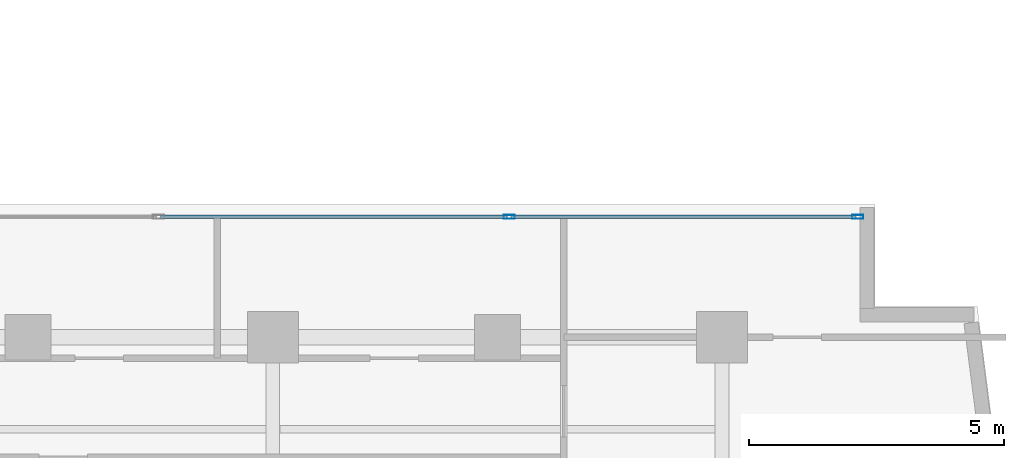
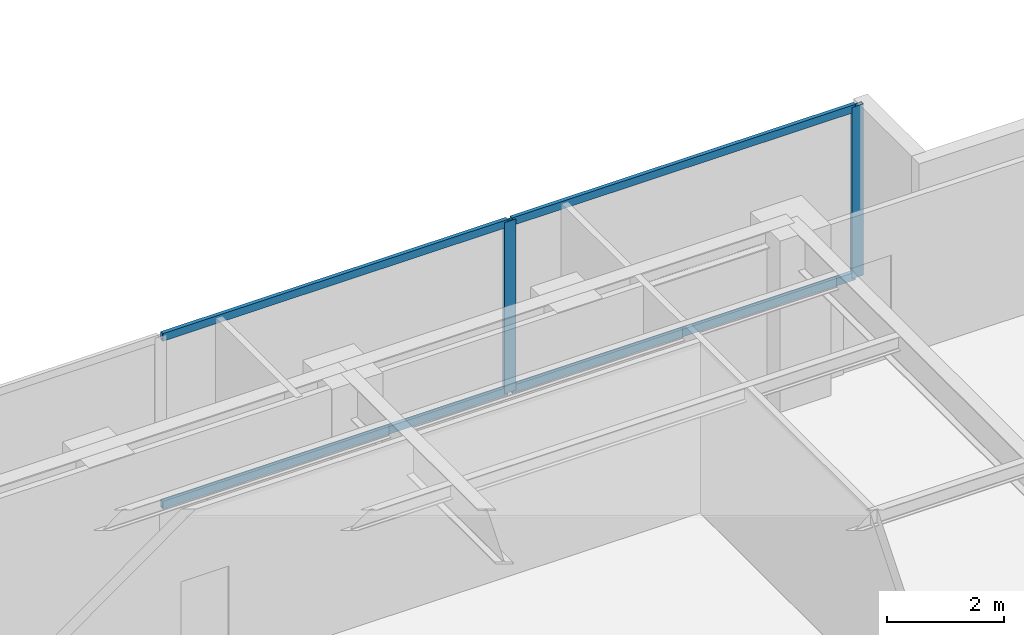
# One storey, part 12 of 23: 6 members, 1 element without a shape of its own.
"""IFC4 building model written with IfcOpenShell, lengths in metres."""

import ifcopenshell
import ifcopenshell.guid

model = None  # the IFC model being written
_history = None  # IfcOwnerHistory: only IFC2X3 demands one
_inside = {}  # id of a spatial element -> (the spatial element, [elements in it])
_under = {}  # id of a project, library or spatial element -> (it, [spatial elements below it])
_declared = {}  # id of a project -> (the project, [libraries it declares])
_typed = {}  # id of a type object -> (the type object, [elements of that type])
_made_of = {}  # id of a material, layer set ... -> (it, [elements and type objects made of it])


def new_model(schema):
    """Start an empty IFC model of exactly this schema.

    Asked for "IFC4X3", IfcOpenShell would pick the latest addendum, in which some entities
    have other attributes; the version numbers below select the first issue.
    IFC2X3 requires an IfcOwnerHistory on every rooted entity: one is made here for all.
    """
    global model, _history
    if schema == "IFC4X3":
        model = ifcopenshell.file(schema_version=(4, 3, 0, 0))
    else:
        model = ifcopenshell.file(schema=schema)
    _inside.clear()
    _under.clear()
    _declared.clear()
    _typed.clear()
    _made_of.clear()
    _history = None
    if model.schema == "IFC2X3":
        org = make("IfcOrganization", Name="unknown")
        user = make(
            "IfcPersonAndOrganization",
            ThePerson=make("IfcPerson", FamilyName="unknown"),
            TheOrganization=org,
        )
        app = make(
            "IfcApplication",
            ApplicationDeveloper=org,
            Version="unknown",
            ApplicationFullName="unknown",
            ApplicationIdentifier="unknown",
        )
        _history = make(
            "IfcOwnerHistory",
            OwningUser=user,
            OwningApplication=app,
            ChangeAction="ADDED",
            CreationDate=0,
        )
    return model


def make(cls, **values):
    """One entity of the class cls with the attributes given. An attribute that is None is left unset."""
    return model.create_entity(
        cls, **{name: value for name, value in values.items() if value is not None}
    )


def rooted(cls, **values):
    """An entity with a GlobalId (a new one), such as an element, a storey or a relation."""
    return make(cls, GlobalId=ifcopenshell.guid.new(), OwnerHistory=_history, **values)


def si_unit(unit_type, name, prefix=None):
    """IfcSIUnit, for example si_unit("LENGTHUNIT", "METRE", prefix="MILLI")."""
    return make("IfcSIUnit", UnitType=unit_type, Prefix=prefix, Name=name)


def assignment(units):
    """IfcUnitAssignment: the units of a project."""
    return None if units is None else make("IfcUnitAssignment", Units=units)


def point(xyz):
    """IfcCartesianPoint."""
    return None if xyz is None else make("IfcCartesianPoint", Coordinates=xyz)


def direction(xyz):
    """IfcDirection."""
    return None if xyz is None else make("IfcDirection", DirectionRatios=xyz)


def frame(location, z_axis=None, x_axis=None):
    """IfcAxis2Placement3D, a coordinate frame: its origin and axes. An axis left out is left unset."""
    return make(
        "IfcAxis2Placement3D",
        Location=point(location),
        Axis=direction(z_axis),
        RefDirection=direction(x_axis),
    )


def frame_2d(location, x_axis=None):
    """IfcAxis2Placement2D, a coordinate frame in the plane: its origin and x axis."""
    return make(
        "IfcAxis2Placement2D", Location=point(location), RefDirection=direction(x_axis)
    )


def origin():
    """The frame at (0, 0, 0) with its axes left unset."""
    return frame((0.0, 0.0, 0.0))


def origin_with_axes():
    """The frame at (0, 0, 0) with the z axis (0, 0, 1) and the x axis (1, 0, 0) written out."""
    return frame((0.0, 0.0, 0.0), z_axis=(0.0, 0.0, 1.0), x_axis=(1.0, 0.0, 0.0))


def origin_2d():
    """The frame at (0, 0) in the plane with its x axis left unset."""
    return frame_2d((0.0, 0.0))


def place(relative_to, where):
    """IfcLocalPlacement: puts the frame where relative to a parent placement (None: the world)."""
    return make(
        "IfcLocalPlacement", PlacementRelTo=relative_to, RelativePlacement=where
    )


def context(
    kind, dimensions, precision=None, world=None, true_north=None, identifier=None
):
    """IfcGeometricRepresentationContext, for example the 3D "Model" context."""
    return make(
        "IfcGeometricRepresentationContext",
        ContextIdentifier=identifier,
        ContextType=kind,
        CoordinateSpaceDimension=dimensions,
        Precision=precision,
        WorldCoordinateSystem=world,
        TrueNorth=true_north,
    )


def subcontext(parent, identifier, kind, view, scale=None):
    """IfcGeometricRepresentationSubContext, for example "Body" below "Model"."""
    return make(
        "IfcGeometricRepresentationSubContext",
        ContextIdentifier=identifier,
        ContextType=kind,
        ParentContext=parent,
        TargetScale=scale,
        TargetView=view,
    )


def project(units=None, contexts=None):
    """IfcProject with its units and contexts."""
    return rooted(
        "IfcProject",
        Name="project",
        RepresentationContexts=contexts,
        UnitsInContext=assignment(units),
    )


def spatial(cls, under=None, at=None, **own):
    """A site, building, storey or space (cls), placed at a placement, below another one or the project."""
    s = rooted(cls, ObjectPlacement=at, **own)
    if under is not None:
        _under.setdefault(under.id(), (under, []))[1].append(s)
    return s


def profile(cls, at=None, kind="AREA", **sizes):
    """A parametric profile (cls). Its sizes go by their IFC names, for example OverallWidth=200.0."""
    return make(cls, ProfileType=kind, Position=at, **sizes)


def hollow_rectangle(**sizes):
    """IfcRectangleHollowProfileDef."""
    return profile("IfcRectangleHollowProfileDef", **sizes)


def extrude(swept, where, along, depth):
    """IfcExtrudedAreaSolid: the profile swept, set in the frame where, extruded along a direction by depth."""
    return make(
        "IfcExtrudedAreaSolid",
        SweptArea=swept,
        Position=where,
        ExtrudedDirection=direction(along),
        Depth=depth,
    )


def shape(context_of_items, identifier, shape_type, items):
    """IfcShapeRepresentation: the items that make up one representation, for example the "Body"."""
    return make(
        "IfcShapeRepresentation",
        ContextOfItems=context_of_items,
        RepresentationIdentifier=identifier,
        RepresentationType=shape_type,
        Items=items,
    )


def source(mapping_origin, context_of_items, identifier, shape_type, items):
    """IfcRepresentationMap: a shape defined once, which mapped items show again and again."""
    return make(
        "IfcRepresentationMap",
        MappingOrigin=mapping_origin,
        MappedRepresentation=shape(context_of_items, identifier, shape_type, items),
    )


def transform(
    local_origin,
    x_axis=None,
    y_axis=None,
    z_axis=None,
    scale=None,
    scale2=None,
    scale3=None,
    uniform=True,
):
    """IfcCartesianTransformationOperator3D, or its non-uniform kind. x_axis, y_axis, z_axis: its Axis1, 2, 3."""
    if uniform:
        return make(
            "IfcCartesianTransformationOperator3D",
            Axis1=direction(x_axis),
            Axis2=direction(y_axis),
            LocalOrigin=point(local_origin),
            Scale=scale,
            Axis3=direction(z_axis),
        )
    return make(
        "IfcCartesianTransformationOperator3DnonUniform",
        Axis1=direction(x_axis),
        Axis2=direction(y_axis),
        LocalOrigin=point(local_origin),
        Scale=scale,
        Axis3=direction(z_axis),
        Scale2=scale2,
        Scale3=scale3,
    )


def mapped(mapping_source, mapping_target):
    """IfcMappedItem: shows the shape of a source again, moved by a transform."""
    return make(
        "IfcMappedItem", MappingSource=mapping_source, MappingTarget=mapping_target
    )


def material(Name=None, Category=None):
    """IfcMaterial."""
    return make("IfcMaterial", Name=Name, Category=Category)


def layer(
    of_material, thickness, ventilated=None, Name=None, Category=None, Priority=None
):
    """IfcMaterialLayer: one layer of a wall or slab, of a material (None: an air gap)."""
    return make(
        "IfcMaterialLayer",
        Material=of_material,
        LayerThickness=thickness,
        IsVentilated=ventilated,
        Name=Name,
        Category=Category,
        Priority=Priority,
    )


def layer_set(layers, Name=None):
    """IfcMaterialLayerSet."""
    return make("IfcMaterialLayerSet", MaterialLayers=layers, LayerSetName=Name)


def material_profile(
    of_material, cross_section, Name=None, Category=None, Priority=None
):
    """IfcMaterialProfile: a cross section and its material."""
    return make(
        "IfcMaterialProfile",
        Name=Name,
        Material=of_material,
        Profile=cross_section,
        Priority=Priority,
        Category=Category,
    )


def profile_set(profiles, Name=None, composite=None):
    """IfcMaterialProfileSet."""
    return make(
        "IfcMaterialProfileSet",
        Name=Name,
        MaterialProfiles=profiles,
        CompositeProfile=composite,
    )


def made_of(thing, what):
    """Note that an element or type object is made of a material, layer set ...; save() writes the relation."""
    if what is not None:
        _made_of.setdefault(what.id(), (what, []))[1].append(thing)
    return thing


def type_object(cls, material=None, **own):
    """A type object (cls), such as IfcWallType, which elements share."""
    return made_of(rooted(cls, **own), material)


def element(
    cls,
    number,
    at=None,
    inside=None,
    cuts=None,
    type_object=None,
    material=None,
    context=None,
    identifier="Body",
    shape_type=None,
    held_by="IfcProductDefinitionShape",
    body=None,
    shapes=None,
    **own,
):
    """One element of the class cls, such as IfcWall. Its Tag is "e" and its number.

    at: its placement. inside: the storey or other place that contains it. cuts: it is an
    opening in that element (IfcRelVoidsElement). A single representation is given by context,
    identifier, shape_type and body (its items); several are given by shapes. held_by: the class
    of the entity that holds the representations. save() writes the other relations.
    """
    e = rooted(cls, Tag="e%d" % number, ObjectPlacement=at, **own)
    if body is not None:
        shapes = [shape(context, identifier, shape_type, body)]
    if shapes is not None:
        e.Representation = make(held_by, Representations=shapes)
    if inside is not None:
        _inside.setdefault(inside.id(), (inside, []))[1].append(e)
    if cuts is not None:
        rooted(
            "IfcRelVoidsElement", RelatingBuildingElement=cuts, RelatedOpeningElement=e
        )
    if type_object is not None:
        _typed.setdefault(type_object.id(), (type_object, []))[1].append(e)
    return made_of(e, material)


def aggregate(whole, parts):
    """IfcRelAggregates: a whole, such as a stair, and the parts it consists of."""
    return rooted("IfcRelAggregates", RelatingObject=whole, RelatedObjects=parts)


def save(model, path):
    """Write the relations noted so far, then the file.

    IfcRelAggregates (storeys below a building ...), IfcRelContainedInSpatialStructure (elements
    in a storey), IfcRelDefinesByType, IfcRelAssociatesMaterial and IfcRelDeclares: one each for
    every whole, place, type object, material and project.
    """
    for whole, parts in _under.values():
        aggregate(whole, parts)
    for where, things in _inside.values():
        rooted(
            "IfcRelContainedInSpatialStructure",
            RelatedElements=things,
            RelatingStructure=where,
        )
    for kind, things in _typed.values():
        rooted("IfcRelDefinesByType", RelatedObjects=things, RelatingType=kind)
    for what, things in _made_of.values():
        rooted("IfcRelAssociatesMaterial", RelatedObjects=things, RelatingMaterial=what)
    for by, libraries in _declared.values():
        rooted("IfcRelDeclares", RelatingContext=by, RelatedDefinitions=libraries)
    model.write(path)


model = new_model("IFC4")

# Units and contexts
model_context = context("Model", 3, precision=1e-05, world=origin(), true_north=direction((0.0, 1.0)))
body_context = subcontext(model_context, "Body", "Model", "MODEL_VIEW")
ifc_project = project(units=[si_unit("LENGTHUNIT", "METRE"), si_unit("AREAUNIT", "SQUARE_METRE"), si_unit("VOLUMEUNIT", "CUBIC_METRE"), si_unit("PLANEANGLEUNIT", "RADIAN"), si_unit("MASSUNIT", "GRAM", prefix="KILO")], contexts=[model_context])

# Site, building, storey
site_placement = place(None, origin())
site = spatial("IfcSite", under=ifc_project, at=site_placement, CompositionType="ELEMENT")
building_placement = place(site_placement, origin())
building = spatial("IfcBuilding", under=site, at=building_placement, Name="Kolvaren Waterfront Exchange", CompositionType="ELEMENT")
storey_placement = place(building_placement, frame((0.0, 0.0, 250.10009765625)))
storey = spatial("IfcBuildingStorey", under=building, at=storey_placement, Name="L64", CompositionType="ELEMENT", Elevation=250.10009765625)

# Curtain wall, members
ifc_material_1 = material(Name="Anodised bronze aluminium 6063-T6", Category="aluminium")
ifc_layer = layer(ifc_material_1, 0.219970703125, Name="Anodised bronze aluminium 6063-T6")
ifc_layer_set = layer_set([ifc_layer], Name="Anodised bronze aluminium 6063-T6")
curtain_wall_type = type_object("IfcCurtainWallType", Name="ARC-CW-SYS1", PredefinedType="USERDEFINED", material=ifc_layer_set)
curtain_wall_placement = place(storey_placement, origin())
curtain_wall = element("IfcCurtainWall", 1, at=curtain_wall_placement, inside=storey, type_object=curtain_wall_type, Name="L64 stick curtain wall CW1 (CW-L64-EN)", ObjectType="STICK CURTAIN WALL", PredefinedType="USERDEFINED")
ifc_material_2 = material(Name="Anodised aluminium 6063-T6", Category="aluminium")
ifc_material_profile_1 = material_profile(ifc_material_2, hollow_rectangle(XDim=0.080078125, YDim=0.219970703125, WallThickness=0.0048828125, at=origin_2d()), Name="ALU-MUL-220x80x5")
ifc_profile_set_1 = profile_set([ifc_material_profile_1], Name="Anodised aluminium 6063-T6")
member_type_1 = type_object("IfcMemberType", Name="ARC-CWM-220", PredefinedType="MULLION", material=ifc_profile_set_1)
shared_shape_1 = source(origin_with_axes(), body_context, "Body", "SweptSolid", [
    extrude(hollow_rectangle(XDim=0.080078125, YDim=0.219970703125, WallThickness=0.0048828125, at=origin_2d()), origin(), (0.0, 0.0, 1.0), 3.559814453125),
])
member_1_placement = place(storey_placement, frame((41.429931640625, 19.760009765625, 0.0), z_axis=(0.0, 0.0, 1.0), x_axis=(0.0, 1.0, 0.0)))
member_1 = element("IfcMember", 2, at=member_1_placement, type_object=member_type_1, Name="CW1 mullion 3", PredefinedType="MULLION", context=body_context, shape_type="MappedRepresentation", body=[
    mapped(shared_shape_1, transform((0.0, 0.0, 0.0), x_axis=(1.0, 0.0, 0.0), y_axis=(0.0, 1.0, 0.0), z_axis=(0.0, 0.0, 1.0), scale=1.0)),
])
member_2_placement = place(storey_placement, frame((48.260009765625, 19.760009765625, 0.0), z_axis=(0.0, 0.0, 1.0), x_axis=(0.0, 1.0, 0.0)))
member_2 = element("IfcMember", 3, at=member_2_placement, type_object=member_type_1, Name="CW1 mullion 4", PredefinedType="MULLION", context=body_context, shape_type="MappedRepresentation", body=[
    mapped(shared_shape_1, transform((0.0, 0.0, 0.0), x_axis=(1.0, 0.0, 0.0), y_axis=(0.0, 1.0, 0.0), z_axis=(0.0, 0.0, 1.0), scale=1.0)),
])
ifc_material_profile_2 = material_profile(ifc_material_2, hollow_rectangle(XDim=0.074951171875, YDim=0.159912109375, WallThickness=0.00439453125, at=origin_2d()), Name="ALU-TRN-160x75x4.5")
ifc_profile_set_2 = profile_set([ifc_material_profile_2], Name="Anodised aluminium 6063-T6")
member_type_2 = type_object("IfcMemberType", Name="ARC-CWT-160", PredefinedType="USERDEFINED", material=ifc_profile_set_2)
shared_shape_2 = source(origin_with_axes(), body_context, "Body", "SweptSolid", [
    extrude(hollow_rectangle(XDim=0.074951171875, YDim=0.159912109375, WallThickness=0.00439453125, at=origin_2d()), origin(), (0.0, 0.0, 1.0), 6.75),
])
member_3_placement = place(storey_placement, frame((41.469970703125, 19.760009765625, 0.037353515625), z_axis=(1.0, 0.0, 0.0), x_axis=(0.0, 1.0, 0.0)))
member_3 = element("IfcMember", 4, at=member_3_placement, type_object=member_type_2, Name="CW1 transom 3.1", ObjectType="TRANSOM", PredefinedType="USERDEFINED", context=body_context, shape_type="MappedRepresentation", body=[
    mapped(shared_shape_2, transform((0.0, 0.0, 0.0), x_axis=(1.0, 0.0, 0.0), y_axis=(0.0, 1.0, 0.0), z_axis=(0.0, 0.0, 1.0), scale=1.0)),
])
member_4_placement = place(storey_placement, frame((41.469970703125, 19.760009765625, 3.5224609375), z_axis=(1.0, 0.0, 0.0), x_axis=(0.0, 1.0, 0.0)))
member_4 = element("IfcMember", 5, at=member_4_placement, type_object=member_type_2, Name="CW1 transom 3.2", ObjectType="TRANSOM", PredefinedType="USERDEFINED", context=body_context, shape_type="MappedRepresentation", body=[
    mapped(shared_shape_2, transform((0.0, 0.0, 0.0), x_axis=(1.0, 0.0, 0.0), y_axis=(0.0, 1.0, 0.0), z_axis=(0.0, 0.0, 1.0), scale=1.0)),
])
shared_shape_3 = source(origin_with_axes(), body_context, "Body", "SweptSolid", [
    extrude(hollow_rectangle(XDim=0.074951171875, YDim=0.159912109375, WallThickness=0.00439453125, at=origin_2d()), origin(), (0.0, 0.0, 1.0), 6.789794921875),
])
member_5_placement = place(storey_placement, frame((34.60009765625, 19.760009765625, 0.037353515625), z_axis=(1.0, 0.0, 0.0), x_axis=(0.0, 1.0, 0.0)))
member_5 = element("IfcMember", 6, at=member_5_placement, type_object=member_type_2, Name="CW1 transom 2.1", ObjectType="TRANSOM", PredefinedType="USERDEFINED", context=body_context, shape_type="MappedRepresentation", body=[
    mapped(shared_shape_3, transform((0.0, 0.0, 0.0), x_axis=(1.0, 0.0, 0.0), y_axis=(0.0, 1.0, 0.0), z_axis=(0.0, 0.0, 1.0), scale=1.0)),
])
member_6_placement = place(storey_placement, frame((34.60009765625, 19.760009765625, 3.5224609375), z_axis=(1.0, 0.0, 0.0), x_axis=(0.0, 1.0, 0.0)))
member_6 = element("IfcMember", 7, at=member_6_placement, type_object=member_type_2, Name="CW1 transom 2.2", ObjectType="TRANSOM", PredefinedType="USERDEFINED", context=body_context, shape_type="MappedRepresentation", body=[
    mapped(shared_shape_3, transform((0.0, 0.0, 0.0), x_axis=(1.0, 0.0, 0.0), y_axis=(0.0, 1.0, 0.0), z_axis=(0.0, 0.0, 1.0), scale=1.0)),
])
aggregate(curtain_wall, [member_1, member_2, member_5, member_6, member_3, member_4])

save(model, "model.ifc")
